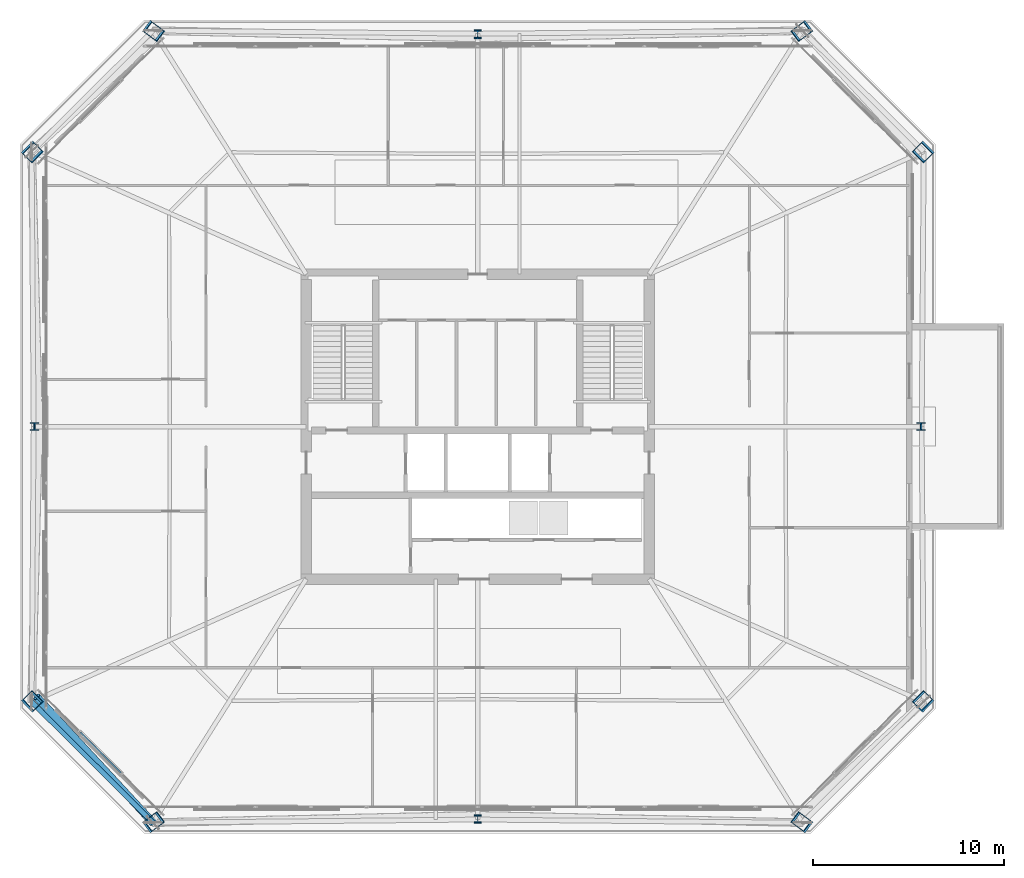
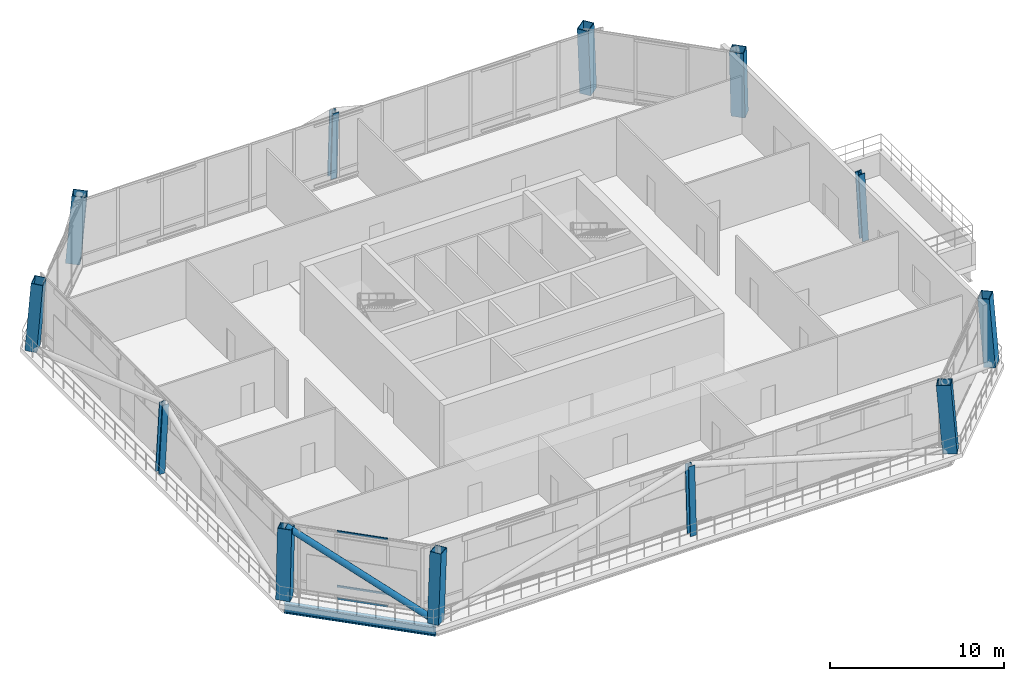
# One storey, part 1 of 34: 12 columns, 4 members, 1 beam, 1 element without a shape of its own.
"""IFC4 building model written with IfcOpenShell, lengths in metres."""

import ifcopenshell
import ifcopenshell.guid

model = None  # the IFC model being written
_history = None  # IfcOwnerHistory: only IFC2X3 demands one
_inside = {}  # id of a spatial element -> (the spatial element, [elements in it])
_under = {}  # id of a project, library or spatial element -> (it, [spatial elements below it])
_declared = {}  # id of a project -> (the project, [libraries it declares])
_typed = {}  # id of a type object -> (the type object, [elements of that type])
_made_of = {}  # id of a material, layer set ... -> (it, [elements and type objects made of it])


def new_model(schema):
    """Start an empty IFC model of exactly this schema.

    Asked for "IFC4X3", IfcOpenShell would pick the latest addendum, in which some entities
    have other attributes; the version numbers below select the first issue.
    IFC2X3 requires an IfcOwnerHistory on every rooted entity: one is made here for all.
    """
    global model, _history
    if schema == "IFC4X3":
        model = ifcopenshell.file(schema_version=(4, 3, 0, 0))
    else:
        model = ifcopenshell.file(schema=schema)
    _inside.clear()
    _under.clear()
    _declared.clear()
    _typed.clear()
    _made_of.clear()
    _history = None
    if model.schema == "IFC2X3":
        org = make("IfcOrganization", Name="unknown")
        user = make(
            "IfcPersonAndOrganization",
            ThePerson=make("IfcPerson", FamilyName="unknown"),
            TheOrganization=org,
        )
        app = make(
            "IfcApplication",
            ApplicationDeveloper=org,
            Version="unknown",
            ApplicationFullName="unknown",
            ApplicationIdentifier="unknown",
        )
        _history = make(
            "IfcOwnerHistory",
            OwningUser=user,
            OwningApplication=app,
            ChangeAction="ADDED",
            CreationDate=0,
        )
    return model


def make(cls, **values):
    """One entity of the class cls with the attributes given. An attribute that is None is left unset."""
    return model.create_entity(
        cls, **{name: value for name, value in values.items() if value is not None}
    )


def rooted(cls, **values):
    """An entity with a GlobalId (a new one), such as an element, a storey or a relation."""
    return make(cls, GlobalId=ifcopenshell.guid.new(), OwnerHistory=_history, **values)


def si_unit(unit_type, name, prefix=None):
    """IfcSIUnit, for example si_unit("LENGTHUNIT", "METRE", prefix="MILLI")."""
    return make("IfcSIUnit", UnitType=unit_type, Prefix=prefix, Name=name)


def assignment(units):
    """IfcUnitAssignment: the units of a project."""
    return None if units is None else make("IfcUnitAssignment", Units=units)


def point(xyz):
    """IfcCartesianPoint."""
    return None if xyz is None else make("IfcCartesianPoint", Coordinates=xyz)


def direction(xyz):
    """IfcDirection."""
    return None if xyz is None else make("IfcDirection", DirectionRatios=xyz)


def frame(location, z_axis=None, x_axis=None):
    """IfcAxis2Placement3D, a coordinate frame: its origin and axes. An axis left out is left unset."""
    return make(
        "IfcAxis2Placement3D",
        Location=point(location),
        Axis=direction(z_axis),
        RefDirection=direction(x_axis),
    )


def frame_2d(location, x_axis=None):
    """IfcAxis2Placement2D, a coordinate frame in the plane: its origin and x axis."""
    return make(
        "IfcAxis2Placement2D", Location=point(location), RefDirection=direction(x_axis)
    )


def origin():
    """The frame at (0, 0, 0) with its axes left unset."""
    return frame((0.0, 0.0, 0.0))


def origin_2d():
    """The frame at (0, 0) in the plane with its x axis left unset."""
    return frame_2d((0.0, 0.0))


def place(relative_to, where):
    """IfcLocalPlacement: puts the frame where relative to a parent placement (None: the world)."""
    return make(
        "IfcLocalPlacement", PlacementRelTo=relative_to, RelativePlacement=where
    )


def context(
    kind, dimensions, precision=None, world=None, true_north=None, identifier=None
):
    """IfcGeometricRepresentationContext, for example the 3D "Model" context."""
    return make(
        "IfcGeometricRepresentationContext",
        ContextIdentifier=identifier,
        ContextType=kind,
        CoordinateSpaceDimension=dimensions,
        Precision=precision,
        WorldCoordinateSystem=world,
        TrueNorth=true_north,
    )


def subcontext(parent, identifier, kind, view, scale=None):
    """IfcGeometricRepresentationSubContext, for example "Body" below "Model"."""
    return make(
        "IfcGeometricRepresentationSubContext",
        ContextIdentifier=identifier,
        ContextType=kind,
        ParentContext=parent,
        TargetScale=scale,
        TargetView=view,
    )


def project(units=None, contexts=None):
    """IfcProject with its units and contexts."""
    return rooted(
        "IfcProject",
        Name="project",
        RepresentationContexts=contexts,
        UnitsInContext=assignment(units),
    )


def spatial(cls, under=None, at=None, **own):
    """A site, building, storey or space (cls), placed at a placement, below another one or the project."""
    s = rooted(cls, ObjectPlacement=at, **own)
    if under is not None:
        _under.setdefault(under.id(), (under, []))[1].append(s)
    return s


def profile(cls, at=None, kind="AREA", **sizes):
    """A parametric profile (cls). Its sizes go by their IFC names, for example OverallWidth=200.0."""
    return make(cls, ProfileType=kind, Position=at, **sizes)


def hollow_rectangle(**sizes):
    """IfcRectangleHollowProfileDef."""
    return profile("IfcRectangleHollowProfileDef", **sizes)


def hollow_circle(**sizes):
    """IfcCircleHollowProfileDef."""
    return profile("IfcCircleHollowProfileDef", **sizes)


def i_section(**sizes):
    """IfcIShapeProfileDef."""
    return profile("IfcIShapeProfileDef", **sizes)


def extrude(swept, where, along, depth):
    """IfcExtrudedAreaSolid: the profile swept, set in the frame where, extruded along a direction by depth."""
    return make(
        "IfcExtrudedAreaSolid",
        SweptArea=swept,
        Position=where,
        ExtrudedDirection=direction(along),
        Depth=depth,
    )


def shape(context_of_items, identifier, shape_type, items):
    """IfcShapeRepresentation: the items that make up one representation, for example the "Body"."""
    return make(
        "IfcShapeRepresentation",
        ContextOfItems=context_of_items,
        RepresentationIdentifier=identifier,
        RepresentationType=shape_type,
        Items=items,
    )


def material(Name=None, Category=None):
    """IfcMaterial."""
    return make("IfcMaterial", Name=Name, Category=Category)


def layer(
    of_material, thickness, ventilated=None, Name=None, Category=None, Priority=None
):
    """IfcMaterialLayer: one layer of a wall or slab, of a material (None: an air gap)."""
    return make(
        "IfcMaterialLayer",
        Material=of_material,
        LayerThickness=thickness,
        IsVentilated=ventilated,
        Name=Name,
        Category=Category,
        Priority=Priority,
    )


def layer_set(layers, Name=None):
    """IfcMaterialLayerSet."""
    return make("IfcMaterialLayerSet", MaterialLayers=layers, LayerSetName=Name)


def material_profile(
    of_material, cross_section, Name=None, Category=None, Priority=None
):
    """IfcMaterialProfile: a cross section and its material."""
    return make(
        "IfcMaterialProfile",
        Name=Name,
        Material=of_material,
        Profile=cross_section,
        Priority=Priority,
        Category=Category,
    )


def profile_set(profiles, Name=None, composite=None):
    """IfcMaterialProfileSet."""
    return make(
        "IfcMaterialProfileSet",
        Name=Name,
        MaterialProfiles=profiles,
        CompositeProfile=composite,
    )


def made_of(thing, what):
    """Note that an element or type object is made of a material, layer set ...; save() writes the relation."""
    if what is not None:
        _made_of.setdefault(what.id(), (what, []))[1].append(thing)
    return thing


def type_object(cls, material=None, **own):
    """A type object (cls), such as IfcWallType, which elements share."""
    return made_of(rooted(cls, **own), material)


def element(
    cls,
    number,
    at=None,
    inside=None,
    cuts=None,
    type_object=None,
    material=None,
    context=None,
    identifier="Body",
    shape_type=None,
    held_by="IfcProductDefinitionShape",
    body=None,
    shapes=None,
    **own,
):
    """One element of the class cls, such as IfcWall. Its Tag is "e" and its number.

    at: its placement. inside: the storey or other place that contains it. cuts: it is an
    opening in that element (IfcRelVoidsElement). A single representation is given by context,
    identifier, shape_type and body (its items); several are given by shapes. held_by: the class
    of the entity that holds the representations. save() writes the other relations.
    """
    e = rooted(cls, Tag="e%d" % number, ObjectPlacement=at, **own)
    if body is not None:
        shapes = [shape(context, identifier, shape_type, body)]
    if shapes is not None:
        e.Representation = make(held_by, Representations=shapes)
    if inside is not None:
        _inside.setdefault(inside.id(), (inside, []))[1].append(e)
    if cuts is not None:
        rooted(
            "IfcRelVoidsElement", RelatingBuildingElement=cuts, RelatedOpeningElement=e
        )
    if type_object is not None:
        _typed.setdefault(type_object.id(), (type_object, []))[1].append(e)
    return made_of(e, material)


def aggregate(whole, parts):
    """IfcRelAggregates: a whole, such as a stair, and the parts it consists of."""
    return rooted("IfcRelAggregates", RelatingObject=whole, RelatedObjects=parts)


def save(model, path):
    """Write the relations noted so far, then the file.

    IfcRelAggregates (storeys below a building ...), IfcRelContainedInSpatialStructure (elements
    in a storey), IfcRelDefinesByType, IfcRelAssociatesMaterial and IfcRelDeclares: one each for
    every whole, place, type object, material and project.
    """
    for whole, parts in _under.values():
        aggregate(whole, parts)
    for where, things in _inside.values():
        rooted(
            "IfcRelContainedInSpatialStructure",
            RelatedElements=things,
            RelatingStructure=where,
        )
    for kind, things in _typed.values():
        rooted("IfcRelDefinesByType", RelatedObjects=things, RelatingType=kind)
    for what, things in _made_of.values():
        rooted("IfcRelAssociatesMaterial", RelatedObjects=things, RelatingMaterial=what)
    for by, libraries in _declared.values():
        rooted("IfcRelDeclares", RelatingContext=by, RelatedDefinitions=libraries)
    model.write(path)


model = new_model("IFC4")

# Units and contexts
model_context = context("Model", 3, precision=1e-05, world=origin(), true_north=direction((0.0, 1.0)))
body_context = subcontext(model_context, "Body", "Model", "MODEL_VIEW")
ifc_project = project(units=[si_unit("LENGTHUNIT", "METRE"), si_unit("AREAUNIT", "SQUARE_METRE"), si_unit("VOLUMEUNIT", "CUBIC_METRE"), si_unit("PLANEANGLEUNIT", "RADIAN"), si_unit("MASSUNIT", "GRAM", prefix="KILO")], contexts=[model_context])

# Site, building, storey
site_placement = place(None, origin())
site = spatial("IfcSite", under=ifc_project, at=site_placement, CompositionType="ELEMENT")
building_placement = place(site_placement, origin())
building = spatial("IfcBuilding", under=site, at=building_placement, Name="Caelvoria Tower", CompositionType="ELEMENT")
storey_placement = place(building_placement, frame((0.0, 0.0, 172.0)))
storey = spatial("IfcBuildingStorey", under=building, at=storey_placement, Name="L45", CompositionType="ELEMENT", Elevation=172.0)

# Columns
ifc_material_1 = material(Name="Structural Steel ASTM A572 Gr.50", Category="steel")
ifc_material_profile_1 = material_profile(ifc_material_1, hollow_rectangle(XDim=0.699951171875, YDim=0.85009765625, WallThickness=0.0400390625, at=origin_2d()), Name="Structural Steel ASTM A572 Gr.50")
ifc_profile_set_1 = profile_set([ifc_material_profile_1], Name="BOX850X700X40 - Structural Steel ASTM A572 Gr.50")
column_type_1 = type_object("IfcColumnType", Name="Mega Box Column 850x700x40", PredefinedType="COLUMN", material=ifc_profile_set_1)
for number, where, z_axis, x_axis, name in (
    (1, (28.95654296875, 11.216796875, 0.0), (0.062460790535, 0.046397982813, 0.996968342946), (-0.596311896623, 0.802752839886, 0.0), "Perimeter Megaframe Column L45-P00"),
    (2, (63.04345703125, 11.216796875, 0.0), (-0.062460790535, 0.046397982813, 0.996968342946), (-0.596311896623, -0.802752839886, 0.0), "Perimeter Megaframe Column L45-P02"),
):
    element("IfcColumn", number, at=place(storey_placement, frame(where, z_axis=z_axis, x_axis=x_axis)), inside=storey, type_object=column_type_1, Name=name, PredefinedType="COLUMN", context=body_context, shape_type="SweptSolid", body=[
        extrude(hollow_rectangle(XDim=0.699951171875, YDim=0.85009765625, WallThickness=0.0400390625, at=origin_2d()), origin(), (0.0, 0.0, 1.0), 4.7724609375),
    ])
for number, where, z_axis, x_axis, name in (
    (3, (69.4072265625, 17.55810546875, 0.0), (-0.054739996676, 0.054074931296, 0.997035322629), (0.709306139229, -0.700688401089, 0.076945210577), "Perimeter Megaframe Column L45-P03"),
    (4, (69.4072265625, 46.44189453125, 0.0), (-0.054739996676, -0.054074931296, 0.997035322629), (0.709306139229, 0.700688401089, 0.076945210577), "Perimeter Megaframe Column L45-P05"),
):
    element("IfcColumn", number, at=place(storey_placement, frame(where, z_axis=z_axis, x_axis=x_axis)), inside=storey, type_object=column_type_1, Name=name, PredefinedType="COLUMN", context=body_context, shape_type="SweptSolid", body=[
        extrude(hollow_rectangle(XDim=0.699951171875, YDim=0.85009765625, WallThickness=0.0400390625, at=origin_2d()), origin(), (0.0, 0.0, 1.0), 4.772216796875),
    ])
for number, where, z_axis, x_axis, name in (
    (5, (63.04345703125, 52.783203125, 0.0), (-0.062460790535, -0.046397982813, 0.996968342946), (0.596311896623, -0.802752839886, 0.0), "Perimeter Megaframe Column L45-P06"),
    (6, (28.95654296875, 52.783203125, 0.0), (0.062460790535, -0.046397982813, 0.996968342946), (0.596311896623, 0.802752839886, 0.0), "Perimeter Megaframe Column L45-P08"),
):
    element("IfcColumn", number, at=place(storey_placement, frame(where, z_axis=z_axis, x_axis=x_axis)), inside=storey, type_object=column_type_1, Name=name, PredefinedType="COLUMN", context=body_context, shape_type="SweptSolid", body=[
        extrude(hollow_rectangle(XDim=0.699951171875, YDim=0.85009765625, WallThickness=0.0400390625, at=origin_2d()), origin(), (0.0, 0.0, 1.0), 4.7724609375),
    ])
for number, where, z_axis, x_axis, name in (
    (7, (22.5927734375, 46.44189453125, 0.0), (0.054739996676, -0.054074931296, 0.997035322629), (-0.709306139229, 0.700688401089, 0.076945210577), "Perimeter Megaframe Column L45-P09"),
    (8, (22.5927734375, 17.55810546875, 0.0), (0.054739996676, 0.054074931296, 0.997035322629), (-0.709306139229, -0.700688401089, 0.076945210577), "Perimeter Megaframe Column L45-P11"),
):
    element("IfcColumn", number, at=place(storey_placement, frame(where, z_axis=z_axis, x_axis=x_axis)), inside=storey, type_object=column_type_1, Name=name, PredefinedType="COLUMN", context=body_context, shape_type="SweptSolid", body=[
        extrude(hollow_rectangle(XDim=0.699951171875, YDim=0.85009765625, WallThickness=0.0400390625, at=origin_2d()), origin(), (0.0, 0.0, 1.0), 4.772216796875),
    ])
ifc_material_2 = material(Name="Structural Steel ASTM A992 Gr.50", Category="steel")
ifc_material_profile_2 = material_profile(ifc_material_2, i_section(OverallWidth=0.406005859375, OverallDepth=0.425048828125, WebThickness=0.03271484375, FlangeThickness=0.052490234375, FilletRadius=0.02490234375, at=origin_2d()), Name="Structural Steel ASTM A992 Gr.50")
ifc_profile_set_2 = profile_set([ifc_material_profile_2], Name="W360X421 - Structural Steel ASTM A992 Gr.50")
column_type_2 = type_object("IfcColumnType", Name="Mid Frame Column W360X421", PredefinedType="COLUMN", material=ifc_profile_set_2)
column_1_placement = place(storey_placement, frame((46.0, 11.3798828125, 0.0), z_axis=(0.0, 0.046233027607, 0.998930681858), x_axis=(-1.0, 0.0, 0.0)))
element("IfcColumn", 9, at=column_1_placement, inside=storey, type_object=column_type_2, Name="Perimeter Megaframe Column L45-P01", PredefinedType="COLUMN", context=body_context, shape_type="SweptSolid", body=[
    extrude(i_section(OverallWidth=0.406005859375, OverallDepth=0.425048828125, WebThickness=0.03271484375, FlangeThickness=0.052490234375, FilletRadius=0.02490234375, at=origin_2d()), origin(), (0.0, 0.0, 1.0), 4.76318359375),
])
column_2_placement = place(storey_placement, frame((69.300048828125, 32.0, 0.0), z_axis=(-0.054564800483, 0.0, 0.998510231569), x_axis=(0.998510231569, 0.0, 0.054564800483)))
element("IfcColumn", 10, at=column_2_placement, inside=storey, type_object=column_type_2, Name="Perimeter Megaframe Column L45-P04", PredefinedType="COLUMN", context=body_context, shape_type="SweptSolid", body=[
    extrude(i_section(OverallWidth=0.406005859375, OverallDepth=0.425048828125, WebThickness=0.03271484375, FlangeThickness=0.052490234375, FilletRadius=0.02490234375, at=origin_2d()), origin(), (0.0, 0.0, 1.0), 4.76513671875),
])
column_3_placement = place(storey_placement, frame((46.0, 52.6201171875, 0.0), z_axis=(0.0, -0.046233027607, 0.998930681858), x_axis=(1.0, 0.0, 0.0)))
element("IfcColumn", 11, at=column_3_placement, inside=storey, type_object=column_type_2, Name="Perimeter Megaframe Column L45-P07", PredefinedType="COLUMN", context=body_context, shape_type="SweptSolid", body=[
    extrude(i_section(OverallWidth=0.406005859375, OverallDepth=0.425048828125, WebThickness=0.03271484375, FlangeThickness=0.052490234375, FilletRadius=0.02490234375, at=origin_2d()), origin(), (0.0, 0.0, 1.0), 4.76318359375),
])
column_4_placement = place(storey_placement, frame((22.699951171875, 32.0, 0.0), z_axis=(0.054564800483, 0.0, 0.998510231569), x_axis=(-0.998510231569, 0.0, 0.054564800483)))
element("IfcColumn", 12, at=column_4_placement, inside=storey, type_object=column_type_2, Name="Perimeter Megaframe Column L45-P10", PredefinedType="COLUMN", context=body_context, shape_type="SweptSolid", body=[
    extrude(i_section(OverallWidth=0.406005859375, OverallDepth=0.425048828125, WebThickness=0.03271484375, FlangeThickness=0.052490234375, FilletRadius=0.02490234375, at=origin_2d()), origin(), (0.0, 0.0, 1.0), 4.76513671875),
])

# Curtain wall, members
ifc_material_3 = material(Name="Anodised Bronze Aluminium and Low-E Glass", Category="aluminium")
ifc_layer = layer(ifc_material_3, 0.2099609375, Name="Anodised Bronze Aluminium and Low-E Glass")
ifc_layer_set = layer_set([ifc_layer], Name="CW System 3 Sky Lobby Double-Height Acoustic Facade - Anodised Bronze Aluminium and Low-E Glass")
curtain_wall_type = type_object("IfcCurtainWallType", Name="CW System 3 Sky Lobby Double-Height Acoustic Facade", PredefinedType="NOTDEFINED", material=ifc_layer_set)
curtain_wall_placement = place(storey_placement, origin())
curtain_wall = element("IfcCurtainWall", 13, at=curtain_wall_placement, inside=storey, type_object=curtain_wall_type, Name="CW-03 Curtain Wall L45-E7", PredefinedType="NOTDEFINED")
ifc_material_4 = material(Name="Anodised Bronze Architectural Aluminium", Category="aluminium")
ifc_material_profile_3 = material_profile(ifc_material_4, hollow_rectangle(XDim=0.06494140625, YDim=0.1298828125, WallThickness=0.00341796875, at=origin_2d()), Name="Anodised Bronze Architectural Aluminium")
ifc_profile_set_3 = profile_set([ifc_material_profile_3], Name="CW_TRAN_65X130 - Anodised Bronze Architectural Aluminium")
member_type_1 = type_object("IfcMemberType", Name="Curtain Wall Transom 65x130 Bronze Aluminium", PredefinedType="USERDEFINED", material=ifc_profile_set_3)
member_1_placement = place(storey_placement, frame((25.15380859375, 15.957763671875, 0.032470703125), z_axis=(0.707147420675, -0.707066139362, 0.0), x_axis=(0.707066139362, 0.707147420675, 0.0)))
member_1 = element("IfcMember", 14, at=member_1_placement, type_object=member_type_1, Name="CW-03 transom 2.1", ObjectType="TRANSOM", PredefinedType="USERDEFINED", context=body_context, shape_type="SweptSolid", body=[
    extrude(hollow_rectangle(XDim=0.06494140625, YDim=0.1298828125, WallThickness=0.00341796875, at=origin_2d()), origin(), (0.0, 0.0, 1.0), 3.003662109375),
])
member_2_placement = place(storey_placement, frame((25.15380859375, 15.957763671875, 0.89990234375), z_axis=(0.707147420675, -0.707066139362, 0.0), x_axis=(0.707066139362, 0.707147420675, 0.0)))
member_2 = element("IfcMember", 15, at=member_2_placement, type_object=member_type_1, Name="CW-03 transom 2.2", ObjectType="TRANSOM", PredefinedType="USERDEFINED", context=body_context, shape_type="SweptSolid", body=[
    extrude(hollow_rectangle(XDim=0.06494140625, YDim=0.1298828125, WallThickness=0.00341796875, at=origin_2d()), origin(), (0.0, 0.0, 1.0), 3.003662109375),
])
member_3_placement = place(storey_placement, frame((25.15380859375, 15.957763671875, 4.7275390625), z_axis=(0.707147420675, -0.707066139362, 0.0), x_axis=(0.707066139362, 0.707147420675, 0.0)))
member_3 = element("IfcMember", 16, at=member_3_placement, type_object=member_type_1, Name="CW-03 transom 2.3", ObjectType="TRANSOM", PredefinedType="USERDEFINED", context=body_context, shape_type="SweptSolid", body=[
    extrude(hollow_rectangle(XDim=0.06494140625, YDim=0.1298828125, WallThickness=0.00341796875, at=origin_2d()), origin(), (0.0, 0.0, 1.0), 3.003662109375),
])
aggregate(curtain_wall, [member_1, member_2, member_3])

# Beam
ifc_material_profile_4 = material_profile(ifc_material_2, i_section(OverallWidth=0.25390625, OverallDepth=0.68798828125, WebThickness=0.01318359375, FlangeThickness=0.02099609375, FilletRadius=0.01904296875, at=origin_2d()), Name="Structural Steel ASTM A992 Gr.50")
ifc_profile_set_4 = profile_set([ifc_material_profile_4], Name="W690X152 - Structural Steel ASTM A992 Gr.50")
beam_type = type_object("IfcBeamType", Name="Perimeter Spandrel Girder W690X152", PredefinedType="BEAM", material=ifc_profile_set_4)
beam_placement = place(storey_placement, frame((22.5927734375, 17.55810546875, -0.6640625), z_axis=(0.708355747731, -0.705855604679, 0.0), x_axis=(0.705855604679, 0.708355747731, 0.0)))
element("IfcBeam", 17, at=beam_placement, inside=storey, type_object=beam_type, Name="Perimeter Spandrel Girder L45-11", PredefinedType="BEAM", context=body_context, shape_type="SweptSolid", body=[
    extrude(i_section(OverallWidth=0.25390625, OverallDepth=0.68798828125, WebThickness=0.01318359375, FlangeThickness=0.02099609375, FilletRadius=0.01904296875, at=origin_2d()), origin(), (0.0, 0.0, 1.0), 8.98388671875),
])

# Member
ifc_material_profile_5 = material_profile(ifc_material_1, hollow_circle(Radius=0.202880859375, WallThickness=0.01611328125, at=origin_2d()), Name="Structural Steel ASTM A572 Gr.50")
ifc_profile_set_5 = profile_set([ifc_material_profile_5], Name="CHS406X16 - Structural Steel ASTM A572 Gr.50")
member_type_2 = type_object("IfcMemberType", Name="Upper Perimeter Mega Brace CHS406X16", PredefinedType="BRACE", material=ifc_profile_set_5)
member_4_placement = place(storey_placement, frame((28.95654296875, 11.216796875, 0.0), z_axis=(-0.599990945007, 0.648838023463, 0.467995817523), x_axis=(-0.734203347404, -0.678929631597, 0.0)))
element("IfcMember", 18, at=member_4_placement, inside=storey, type_object=member_type_2, Name="Perimeter Chamfer Mega Brace L45 SW", PredefinedType="BRACE", context=body_context, shape_type="SweptSolid", body=[
    extrude(hollow_circle(Radius=0.202880859375, WallThickness=0.01611328125, at=origin_2d()), origin(), (0.0, 0.0, 1.0), 10.171142578125),
])

save(model, "model.ifc")
